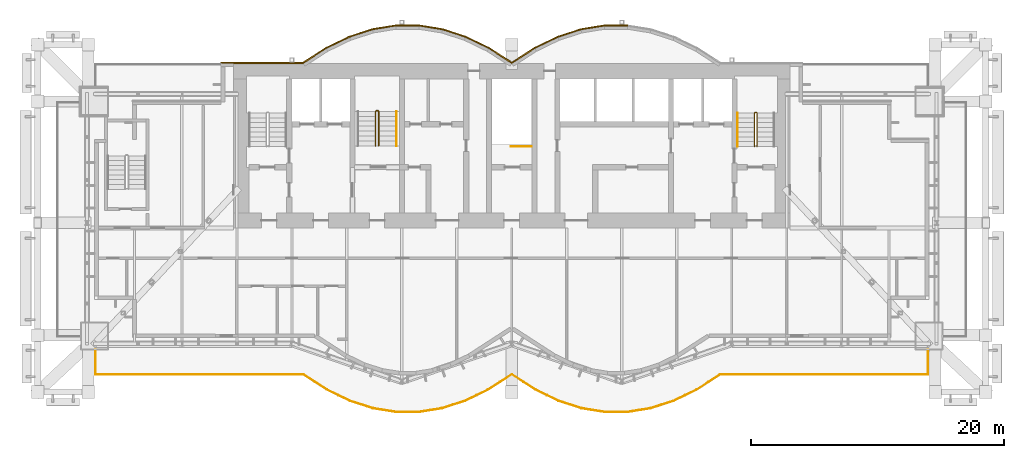
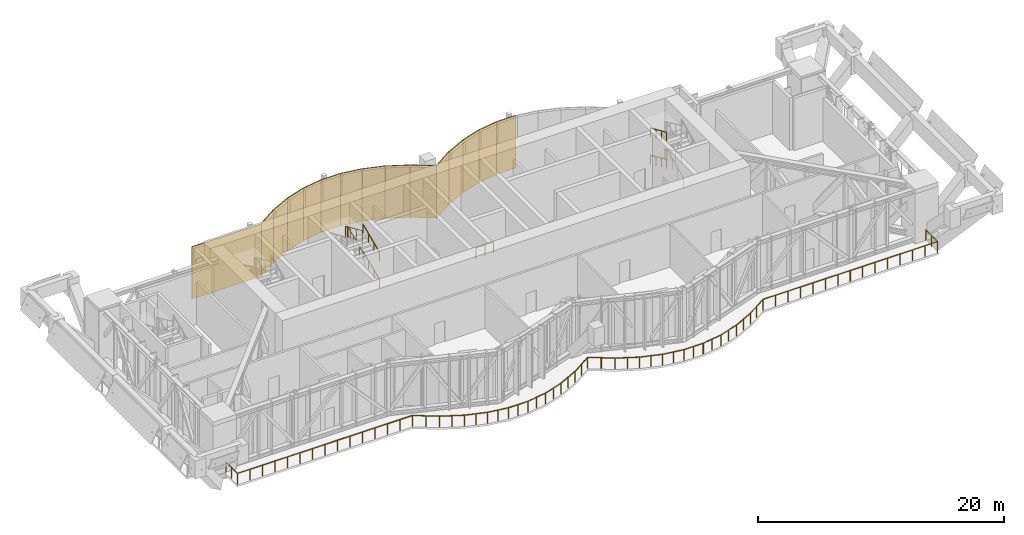
# One storey, part 19 of 20: 15 coverings, 8 railings.
"""IFC4 building model written with IfcOpenShell, lengths in metres."""

from ifc_helpers import new_model, si_unit, direction, frame, origin, origin_2d, place, context, subcontext, project, spatial, rectangle, circle, extrude, material, layer, layer_set, type_object, element, save


model = new_model("IFC4")

# Units and contexts
model_context = context("Model", 3, precision=1e-05, world=origin(), true_north=direction((0.0, 1.0)))
body_context = subcontext(model_context, "Body", "Model", "MODEL_VIEW")
ifc_project = project(units=[si_unit("LENGTHUNIT", "METRE"), si_unit("AREAUNIT", "SQUARE_METRE"), si_unit("VOLUMEUNIT", "CUBIC_METRE"), si_unit("PLANEANGLEUNIT", "RADIAN"), si_unit("MASSUNIT", "GRAM", prefix="KILO")], contexts=[model_context])

# Site, building, storey
site_placement = place(None, origin())
site = spatial("IfcSite", under=ifc_project, at=site_placement, CompositionType="ELEMENT")
building_placement = place(site_placement, origin())
building = spatial("IfcBuilding", under=site, at=building_placement, Name="Bicima Exchange Tower", CompositionType="ELEMENT")
storey_placement = place(building_placement, frame((0.0, 0.0, 342.5)))
storey = spatial("IfcBuildingStorey", under=building, at=storey_placement, Name="L77", CompositionType="ELEMENT", Elevation=342.5)

# Coverings
ifc_material_1 = material(Name="Bronze metal cladding")
ifc_layer_1 = layer(ifc_material_1, 0.004)
ifc_material_2 = material(Name="Ventilated cavity")
ifc_layer_2 = layer(ifc_material_2, 0.06)
ifc_material_3 = material(Name="Galvanised steel rail and mineral wool", Category="steel")
ifc_layer_3 = layer(ifc_material_3, 0.036)
ifc_layer_set = layer_set([ifc_layer_1, ifc_layer_2, ifc_layer_3], Name="Ventilated cavity")
covering_type = type_object("IfcCoveringType", Name="Bronze metal cladding panel 100", PredefinedType="CLADDING", material=ifc_layer_set)
covering_1_placement = place(storey_placement, frame((8.25, 3.012939453125, 0.0), z_axis=(0.0, 0.0, 1.0), x_axis=(-1.0, 0.0, 0.0)))
element("IfcCovering", 1, at=covering_1_placement, inside=storey, type_object=covering_type, Name="Bronze cladding L77 11.1", PredefinedType="CLADDING", context=body_context, shape_type="SweptSolid", body=[
    extrude(rectangle(XDim=1.83349609375, YDim=0.10009765625, at=origin_2d()), origin(), (0.0, 0.0, 1.0), 5.199951171875),
])
covering_2_placement = place(storey_placement, frame((6.40869140625, 2.8642578125, 0.0), z_axis=(0.0, 0.0, 1.0), x_axis=(-0.987189786347, -0.159550386184, 0.0)))
element("IfcCovering", 2, at=covering_2_placement, inside=storey, type_object=covering_type, Name="Bronze cladding L77 12.1", PredefinedType="CLADDING", context=body_context, shape_type="SweptSolid", body=[
    extrude(rectangle(XDim=1.857177734375, YDim=0.10009765625, at=origin_2d()), origin(), (0.0, 0.0, 1.0), 5.199951171875),
])
covering_3_placement = place(storey_placement, frame((4.568115234375, 2.41796875, 0.0), z_axis=(0.0, 0.0, 1.0), x_axis=(-0.951524642381, -0.307572519808, 0.0)))
element("IfcCovering", 3, at=covering_3_placement, inside=storey, type_object=covering_type, Name="Bronze cladding L77 13.1", PredefinedType="CLADDING", context=body_context, shape_type="SweptSolid", body=[
    extrude(rectangle(XDim=1.9267578125, YDim=0.10009765625, at=origin_2d()), origin(), (0.0, 0.0, 1.0), 5.199951171875),
])
covering_4_placement = place(storey_placement, frame((2.728271484375, 1.674560546875, 0.0), z_axis=(0.0, 0.0, 1.0), x_axis=(-0.899818346812, -0.436264762204, 0.0)))
element("IfcCovering", 4, at=covering_4_placement, inside=storey, type_object=covering_type, Name="Bronze cladding L77 14.1", PredefinedType="CLADDING", context=body_context, shape_type="SweptSolid", body=[
    extrude(rectangle(XDim=2.03759765625, YDim=0.10009765625, at=origin_2d()), origin(), (0.0, 0.0, 1.0), 5.199951171875),
])
for number, where, z_axis, x_axis, name in (
    (5, (0.889404296875, 0.634521484375, 0.0), (0.0, 0.0, 1.0), (-0.839790466384, -0.542910648791, 0.0), "Bronze cladding L77 15.1"),
    (6, (-0.889404296875, 0.634521484375, 0.0), (0.0, 0.0, 1.0), (-0.839790466384, 0.542910648791, 0.0), "Bronze cladding L77 16.1"),
):
    element("IfcCovering", number, at=place(storey_placement, frame(where, z_axis=z_axis, x_axis=x_axis)), inside=storey, type_object=covering_type, Name=name, PredefinedType="CLADDING", context=body_context, shape_type="SweptSolid", body=[
        extrude(rectangle(XDim=2.18310546875, YDim=0.10009765625, at=origin_2d()), origin(), (0.0, 0.0, 1.0), 5.199951171875),
    ])
covering_5_placement = place(storey_placement, frame((-2.728271484375, 1.674560546875, 0.0), z_axis=(0.0, 0.0, 1.0), x_axis=(-0.899818346812, 0.436264762204, 0.0)))
element("IfcCovering", 7, at=covering_5_placement, inside=storey, type_object=covering_type, Name="Bronze cladding L77 17.1", PredefinedType="CLADDING", context=body_context, shape_type="SweptSolid", body=[
    extrude(rectangle(XDim=2.03759765625, YDim=0.10009765625, at=origin_2d()), origin(), (0.0, 0.0, 1.0), 5.199951171875),
])
covering_6_placement = place(storey_placement, frame((-4.568115234375, 2.41796875, 0.0), z_axis=(0.0, 0.0, 1.0), x_axis=(-0.951524642381, 0.307572519808, 0.0)))
element("IfcCovering", 8, at=covering_6_placement, inside=storey, type_object=covering_type, Name="Bronze cladding L77 18.1", PredefinedType="CLADDING", context=body_context, shape_type="SweptSolid", body=[
    extrude(rectangle(XDim=1.9267578125, YDim=0.10009765625, at=origin_2d()), origin(), (0.0, 0.0, 1.0), 5.199951171875),
])
covering_7_placement = place(storey_placement, frame((-6.40869140625, 2.8642578125, 0.0), z_axis=(0.0, 0.0, 1.0), x_axis=(-0.987189786347, 0.159550386184, 0.0)))
element("IfcCovering", 9, at=covering_7_placement, inside=storey, type_object=covering_type, Name="Bronze cladding L77 19.1", PredefinedType="CLADDING", context=body_context, shape_type="SweptSolid", body=[
    extrude(rectangle(XDim=1.857177734375, YDim=0.10009765625, at=origin_2d()), origin(), (0.0, 0.0, 1.0), 5.199951171875),
])
covering_8_placement = place(storey_placement, frame((-8.25, 3.012939453125, 0.0), z_axis=(0.0, 0.0, 1.0), x_axis=(-1.0, 0.0, 0.0)))
element("IfcCovering", 10, at=covering_8_placement, inside=storey, type_object=covering_type, Name="Bronze cladding L77 20.1", PredefinedType="CLADDING", context=body_context, shape_type="SweptSolid", body=[
    extrude(rectangle(XDim=1.83349609375, YDim=0.10009765625, at=origin_2d()), origin(), (0.0, 0.0, 1.0), 5.199951171875),
])
covering_9_placement = place(storey_placement, frame((-10.09130859375, 2.8642578125, 0.0), z_axis=(0.0, 0.0, 1.0), x_axis=(-0.987189786347, -0.159550386184, 0.0)))
element("IfcCovering", 11, at=covering_9_placement, inside=storey, type_object=covering_type, Name="Bronze cladding L77 21.1", PredefinedType="CLADDING", context=body_context, shape_type="SweptSolid", body=[
    extrude(rectangle(XDim=1.857177734375, YDim=0.10009765625, at=origin_2d()), origin(), (0.0, 0.0, 1.0), 5.199951171875),
])
covering_10_placement = place(storey_placement, frame((-11.931884765625, 2.41796875, 0.0), z_axis=(0.0, 0.0, 1.0), x_axis=(-0.951524642381, -0.307572519808, 0.0)))
element("IfcCovering", 12, at=covering_10_placement, inside=storey, type_object=covering_type, Name="Bronze cladding L77 22.1", PredefinedType="CLADDING", context=body_context, shape_type="SweptSolid", body=[
    extrude(rectangle(XDim=1.9267578125, YDim=0.10009765625, at=origin_2d()), origin(), (0.0, 0.0, 1.0), 5.199951171875),
])
covering_11_placement = place(storey_placement, frame((-13.771728515625, 1.674560546875, 0.0), z_axis=(0.0, 0.0, 1.0), x_axis=(-0.899818346812, -0.436264762204, 0.0)))
element("IfcCovering", 13, at=covering_11_placement, inside=storey, type_object=covering_type, Name="Bronze cladding L77 23.1", PredefinedType="CLADDING", context=body_context, shape_type="SweptSolid", body=[
    extrude(rectangle(XDim=2.03759765625, YDim=0.10009765625, at=origin_2d()), origin(), (0.0, 0.0, 1.0), 5.199951171875),
])
covering_12_placement = place(storey_placement, frame((-15.610595703125, 0.634521484375, 0.0), z_axis=(0.0, 0.0, 1.0), x_axis=(-0.839790466384, -0.542910648791, 0.0)))
element("IfcCovering", 14, at=covering_12_placement, inside=storey, type_object=covering_type, Name="Bronze cladding L77 24.1", PredefinedType="CLADDING", context=body_context, shape_type="SweptSolid", body=[
    extrude(rectangle(XDim=2.18310546875, YDim=0.10009765625, at=origin_2d()), origin(), (0.0, 0.0, 1.0), 5.199951171875),
])
covering_13_placement = place(storey_placement, frame((-19.75, 0.050048828125, 0.0), z_axis=(0.0, 0.0, 1.0), x_axis=(-1.0, 0.0, 0.0)))
element("IfcCovering", 15, at=covering_13_placement, inside=storey, type_object=covering_type, Name="Bronze cladding L77 25.1", PredefinedType="CLADDING", context=body_context, shape_type="SweptSolid", body=[
    extrude(rectangle(XDim=6.5, YDim=0.10009765625, at=origin_2d()), origin(), (0.0, 0.0, 1.0), 5.199951171875),
])

# Railings
ifc_material_4 = material(Name="Stainless steel", Category="steel")
railing_type_1 = type_object("IfcRailingType", Name="Stair guard 1100", PredefinedType="GUARDRAIL", material=ifc_material_4)
railing_1_placement = place(storey_placement, frame((1.574951171875, -6.550048828125, 0.0)))
element("IfcRailing", 16, at=railing_1_placement, inside=storey, type_object=railing_type_1, Name="L77 ST-C top well guard 1", PredefinedType="GUARDRAIL", context=body_context, shape_type="SweptSolid", body=[
    extrude(circle(Radius=0.02392578125, at=origin_2d()), frame((0.0, 0.0, 1.076171875), z_axis=(-1.0, 0.0, 0.0), x_axis=(0.0, -1.0, 0.0)), (0.0, 0.0, 1.0), 1.64990234375),
    extrude(circle(Radius=0.02099609375, at=origin_2d()), origin(), (0.0, 0.0, 1.0), 1.052001953125),
    extrude(circle(Radius=0.02099609375, at=origin_2d()), frame((-0.824951171875, 0.0, 0.0)), (0.0, 0.0, 1.0), 1.052001953125),
    extrude(circle(Radius=0.02099609375, at=origin_2d()), frame((-1.64990234375, 0.0, 0.0)), (0.0, 0.0, 1.0), 1.052001953125),
])
railing_2_placement = place(storey_placement, frame((19.39990234375, -6.550048828125, 0.168701171875)))
element("IfcRailing", 17, at=railing_2_placement, inside=storey, type_object=railing_type_1, Name="L77 ST-E stair guard 1", PredefinedType="GUARDRAIL", context=body_context, shape_type="SweptSolid", body=[
    extrude(circle(Radius=0.02392578125, at=origin_2d()), frame((0.0, 0.0, 1.076171875), z_axis=(0.0, 0.912201722539, 0.409741403079), x_axis=(-1.0, 0.0, 0.0)), (0.0, 0.0, 1.0), 2.88330078125),
    extrude(circle(Radius=0.02392578125, at=origin_2d()), frame((0.0, 2.630126953125, 2.25732421875), z_axis=(-0.707106781187, 0.707106781187, 0.0), x_axis=(-0.707106781187, -0.707106781187, 0.0)), (0.0, 0.0, 1.0), 0.0703125),
    extrude(circle(Radius=0.02392578125, at=origin_2d()), frame((-0.0498046875, 2.679931640625, 2.25732421875), z_axis=(-1.0, 0.0, 0.0), x_axis=(0.0, -1.0, 0.0)), (0.0, 0.0, 1.0), 0.10009765625),
    extrude(circle(Radius=0.02392578125, at=origin_2d()), frame((-0.14990234375, 2.679931640625, 2.25732421875), z_axis=(-0.273668752699, -0.272333783174, 0.922463942026), x_axis=(0.705375805398, -0.708833529934, 0.0)), (0.0, 0.0, 1.0), 0.182861328125),
    extrude(circle(Radius=0.02392578125, at=origin_2d()), frame((-0.199951171875, 2.630126953125, 2.42626953125), z_axis=(0.0, -0.912233369549, 0.409670940488), x_axis=(1.0, 0.0, 0.0)), (0.0, 0.0, 1.0), 2.883056640625),
    extrude(circle(Radius=0.02099609375, at=origin_2d()), origin(), (0.0, 0.0, 1.0), 1.052001953125),
    extrude(circle(Radius=0.02099609375, at=origin_2d()), frame((0.0, 0.876708984375, 0.393798828125)), (0.0, 0.0, 1.0), 1.052001953125),
    extrude(circle(Radius=0.02099609375, at=origin_2d()), frame((0.0, 1.75341796875, 0.78759765625)), (0.0, 0.0, 1.0), 1.052001953125),
    extrude(circle(Radius=0.02099609375, at=origin_2d()), frame((0.0, 2.630126953125, 1.181396484375)), (0.0, 0.0, 1.0), 1.052001953125),
    extrude(circle(Radius=0.02099609375, at=origin_2d()), frame((-0.0498046875, 2.679931640625, 1.181396484375)), (0.0, 0.0, 1.0), 1.052001953125),
    extrude(circle(Radius=0.02099609375, at=origin_2d()), frame((-0.14990234375, 2.679931640625, 1.181396484375)), (0.0, 0.0, 1.0), 1.052001953125),
    extrude(circle(Radius=0.02099609375, at=origin_2d()), frame((-0.199951171875, 2.630126953125, 1.35009765625)), (0.0, 0.0, 1.0), 1.052001953125),
    extrude(circle(Radius=0.02099609375, at=origin_2d()), frame((-0.199951171875, 1.75341796875, 1.743896484375)), (0.0, 0.0, 1.0), 1.052001953125),
    extrude(circle(Radius=0.02099609375, at=origin_2d()), frame((-0.199951171875, 0.876708984375, 2.137451171875)), (0.0, 0.0, 1.0), 1.052001953125),
    extrude(circle(Radius=0.02099609375, at=origin_2d()), frame((-0.199951171875, 0.0, 2.53125)), (0.0, 0.0, 1.0), 1.052001953125),
])
railing_3_placement = place(storey_placement, frame((-10.52490234375, -6.5, 2.86865234375)))
element("IfcRailing", 18, at=railing_3_placement, inside=storey, type_object=railing_type_1, Name="L77 ST-CR stair guard 2", PredefinedType="GUARDRAIL", context=body_context, shape_type="SweptSolid", body=[
    extrude(circle(Radius=0.02392578125, at=origin_2d()), frame((0.0, 0.0, 1.076171875), z_axis=(0.0, 0.917217895875, 0.398385907741), x_axis=(-1.0, 0.0, 0.0)), (0.0, 0.0, 1.0), 2.965576171875),
    extrude(circle(Radius=0.02392578125, at=origin_2d()), frame((0.0, 2.719970703125, 2.25732421875), z_axis=(-0.707106781187, 0.707106781187, 0.0), x_axis=(-0.707106781187, -0.707106781187, 0.0)), (0.0, 0.0, 1.0), 0.07080078125),
    extrude(circle(Radius=0.02392578125, at=origin_2d()), frame((-0.050048828125, 2.77001953125, 2.25732421875), z_axis=(-1.0, 0.0, 0.0), x_axis=(0.0, -1.0, 0.0)), (0.0, 0.0, 1.0), 0.150146484375),
    extrude(circle(Radius=0.02392578125, at=origin_2d()), frame((-0.2001953125, 2.77001953125, 2.25732421875), z_axis=(-0.272333783174, -0.273668752699, 0.922463942026), x_axis=(0.708833529934, -0.705375805398, 0.0)), (0.0, 0.0, 1.0), 0.182861328125),
    extrude(circle(Radius=0.02392578125, at=origin_2d()), frame((-0.25, 2.719970703125, 2.42626953125), z_axis=(0.0, -0.917247977502, 0.398316642595), x_axis=(1.0, 0.0, 0.0)), (0.0, 0.0, 1.0), 2.96533203125),
    extrude(circle(Radius=0.02099609375, at=origin_2d()), origin(), (0.0, 0.0, 1.0), 1.052001953125),
    extrude(circle(Radius=0.02099609375, at=origin_2d()), frame((0.0, 0.90673828125, 0.393798828125)), (0.0, 0.0, 1.0), 1.052001953125),
    extrude(circle(Radius=0.02099609375, at=origin_2d()), frame((0.0, 1.813232421875, 0.78759765625)), (0.0, 0.0, 1.0), 1.052001953125),
    extrude(circle(Radius=0.02099609375, at=origin_2d()), frame((0.0, 2.719970703125, 1.181396484375)), (0.0, 0.0, 1.0), 1.052001953125),
    extrude(circle(Radius=0.02099609375, at=origin_2d()), frame((-0.050048828125, 2.77001953125, 1.181396484375)), (0.0, 0.0, 1.0), 1.052001953125),
    extrude(circle(Radius=0.02099609375, at=origin_2d()), frame((-0.2001953125, 2.77001953125, 1.181396484375)), (0.0, 0.0, 1.0), 1.052001953125),
    extrude(circle(Radius=0.02099609375, at=origin_2d()), frame((-0.25, 2.719970703125, 1.35009765625)), (0.0, 0.0, 1.0), 1.052001953125),
    extrude(circle(Radius=0.02099609375, at=origin_2d()), frame((-0.25, 1.813232421875, 1.743896484375)), (0.0, 0.0, 1.0), 1.052001953125),
    extrude(circle(Radius=0.02099609375, at=origin_2d()), frame((-0.25, 0.90673828125, 2.137451171875)), (0.0, 0.0, 1.0), 1.052001953125),
    extrude(circle(Radius=0.02099609375, at=origin_2d()), frame((-0.25, 0.0, 2.53125)), (0.0, 0.0, 1.0), 1.052001953125),
])
railing_type_2 = type_object("IfcRailingType", Name="Stair handrail 900", PredefinedType="HANDRAIL", material=ifc_material_4)
for number, where, name in (
    (19, (17.85009765625, -3.919921875, 1.518798828125), "L77 ST-E stair handrail 2"),
    (20, (17.85009765625, -3.919921875, 4.21875), "L77 ST-E stair handrail 4"),
):
    element("IfcRailing", number, at=place(storey_placement, frame(where)), inside=storey, type_object=railing_type_2, Name=name, PredefinedType="HANDRAIL", context=body_context, shape_type="SweptSolid", body=[
        extrude(circle(Radius=0.02392578125, at=origin_2d()), frame((0.0, 0.0, 0.8759765625), z_axis=(0.0, -0.912233369549, 0.409670940488), x_axis=(1.0, 0.0, 0.0)), (0.0, 0.0, 1.0), 2.883056640625),
        extrude(circle(Radius=0.02099609375, at=origin_2d()), origin(), (0.0, 0.0, 1.0), 0.851806640625),
        extrude(circle(Radius=0.02099609375, at=origin_2d()), frame((0.0, -0.876708984375, 0.393798828125)), (0.0, 0.0, 1.0), 0.851806640625),
        extrude(circle(Radius=0.02099609375, at=origin_2d()), frame((0.0, -1.75341796875, 0.787353515625)), (0.0, 0.0, 1.0), 0.851806640625),
        extrude(circle(Radius=0.02099609375, at=origin_2d()), frame((0.0, -2.630126953125, 1.18115234375)), (0.0, 0.0, 1.0), 0.851806640625),
    ])
for number, where, name in (
    (21, (-9.125, -6.5, 0.168701171875), "L77 ST-CR stair handrail 1"),
    (22, (-9.125, -6.5, 2.86865234375), "L77 ST-CR stair handrail 3"),
):
    element("IfcRailing", number, at=place(storey_placement, frame(where)), inside=storey, type_object=railing_type_2, Name=name, PredefinedType="HANDRAIL", context=body_context, shape_type="SweptSolid", body=[
        extrude(circle(Radius=0.02392578125, at=origin_2d()), frame((0.0, 0.0, 0.8759765625), z_axis=(0.0, 0.917217895875, 0.398385907741), x_axis=(-1.0, 0.0, 0.0)), (0.0, 0.0, 1.0), 2.965576171875),
        extrude(circle(Radius=0.02099609375, at=origin_2d()), origin(), (0.0, 0.0, 1.0), 0.851806640625),
        extrude(circle(Radius=0.02099609375, at=origin_2d()), frame((0.0, 0.90673828125, 0.393798828125)), (0.0, 0.0, 1.0), 0.851806640625),
        extrude(circle(Radius=0.02099609375, at=origin_2d()), frame((0.0, 1.813232421875, 0.78759765625)), (0.0, 0.0, 1.0), 0.851806640625),
        extrude(circle(Radius=0.02099609375, at=origin_2d()), frame((0.0, 2.719970703125, 1.181396484375)), (0.0, 0.0, 1.0), 0.851806640625),
    ])
ifc_material_5 = material(Name="Stainless steel and bonded safety glass", Category="steel")
railing_type_3 = type_object("IfcRailingType", Name="Terrace guard 1100", PredefinedType="GUARDRAIL", material=ifc_material_5)
railing_4_placement = place(storey_placement, frame((32.919921875, -22.654052734375, 0.0)))
element("IfcRailing", 23, at=railing_4_placement, inside=storey, type_object=railing_type_3, Name="Terrace guard L77 5", PredefinedType="GUARDRAIL", context=body_context, shape_type="SweptSolid", body=[
    extrude(circle(Radius=0.02392578125, at=origin_2d()), frame((0.0, 0.0, 1.076171875), z_axis=(0.0, -1.0, 0.0), x_axis=(1.0, 0.0, 0.0)), (0.0, 0.0, 1.0), 1.94189453125),
    extrude(circle(Radius=0.02392578125, at=origin_2d()), frame((0.0, -1.94189453125, 1.076171875), z_axis=(-1.0, 0.0, 0.0), x_axis=(0.0, -1.0, 0.0)), (0.0, 0.0, 1.0), 16.443603515625),
    extrude(circle(Radius=0.02392578125, at=origin_2d()), frame((-16.443603515625, -1.94189453125, 1.076171875), z_axis=(-0.839730768212, -0.54300298058, 0.0), x_axis=(0.54300298058, -0.839730768212, 0.0)), (0.0, 0.0, 1.0), 2.20166015625),
    extrude(circle(Radius=0.02392578125, at=origin_2d()), frame((-18.29248046875, -3.137451171875, 1.076171875), z_axis=(-0.899828434483, -0.436243955253, 0.0), x_axis=(0.436243955253, -0.899828434483, 0.0)), (0.0, 0.0, 1.0), 2.027099609375),
    extrude(circle(Radius=0.02392578125, at=origin_2d()), frame((-20.116455078125, -4.021728515625, 1.076171875), z_axis=(-0.951549885168, -0.307494416268, 0.0), x_axis=(0.307494416268, -0.951549885168, 0.0)), (0.0, 0.0, 1.0), 1.9150390625),
    extrude(circle(Radius=0.02392578125, at=origin_2d()), frame((-21.938720703125, -4.610595703125, 1.076171875), z_axis=(-0.987176602657, -0.159631936552, 0.0), x_axis=(0.159631936552, -0.987176602657, 0.0)), (0.0, 0.0, 1.0), 1.844482421875),
    extrude(circle(Radius=0.02392578125, at=origin_2d()), frame((-23.759521484375, -4.905029296875, 1.076171875), z_axis=(-1.0, 0.0, 0.0), x_axis=(0.0, -1.0, 0.0)), (0.0, 0.0, 1.0), 1.82080078125),
    extrude(circle(Radius=0.02392578125, at=origin_2d()), frame((-25.580322265625, -4.905029296875, 1.076171875), z_axis=(-0.987176602657, 0.159631936552, 0.0), x_axis=(-0.159631936552, -0.987176602657, 0.0)), (0.0, 0.0, 1.0), 1.844482421875),
    extrude(circle(Radius=0.02392578125, at=origin_2d()), frame((-27.401123046875, -4.610595703125, 1.076171875), z_axis=(-0.951549885168, 0.307494416268, 0.0), x_axis=(-0.307494416268, -0.951549885168, 0.0)), (0.0, 0.0, 1.0), 1.9150390625),
    extrude(circle(Radius=0.02392578125, at=origin_2d()), frame((-29.223388671875, -4.021728515625, 1.076171875), z_axis=(-0.899828434483, 0.436243955253, 0.0), x_axis=(-0.436243955253, -0.899828434483, 0.0)), (0.0, 0.0, 1.0), 2.027099609375),
    extrude(circle(Radius=0.02392578125, at=origin_2d()), frame((-31.04736328125, -3.137451171875, 1.076171875), z_axis=(-0.839766911995, 0.542947081693, 0.0), x_axis=(-0.542947081693, -0.839766911995, 0.0)), (0.0, 0.0, 1.0), 2.229736328125),
    extrude(circle(Radius=0.02392578125, at=origin_2d()), frame((-32.919921875, -1.9267578125, 1.076171875), z_axis=(-0.839766911995, -0.542947081693, 0.0), x_axis=(0.542947081693, -0.839766911995, 0.0)), (0.0, 0.0, 1.0), 2.229736328125),
    extrude(circle(Radius=0.02392578125, at=origin_2d()), frame((-34.79248046875, -3.137451171875, 1.076171875), z_axis=(-0.899828434483, -0.436243955253, 0.0), x_axis=(0.436243955253, -0.899828434483, 0.0)), (0.0, 0.0, 1.0), 2.027099609375),
    extrude(circle(Radius=0.02392578125, at=origin_2d()), frame((-36.616455078125, -4.021728515625, 1.076171875), z_axis=(-0.951549885168, -0.307494416268, 0.0), x_axis=(0.307494416268, -0.951549885168, 0.0)), (0.0, 0.0, 1.0), 1.9150390625),
    extrude(circle(Radius=0.02392578125, at=origin_2d()), frame((-38.438720703125, -4.610595703125, 1.076171875), z_axis=(-0.987176602657, -0.159631936552, 0.0), x_axis=(0.159631936552, -0.987176602657, 0.0)), (0.0, 0.0, 1.0), 1.844482421875),
    extrude(circle(Radius=0.02392578125, at=origin_2d()), frame((-40.259521484375, -4.905029296875, 1.076171875), z_axis=(-1.0, 0.0, 0.0), x_axis=(0.0, -1.0, 0.0)), (0.0, 0.0, 1.0), 1.82080078125),
    extrude(circle(Radius=0.02392578125, at=origin_2d()), frame((-42.080322265625, -4.905029296875, 1.076171875), z_axis=(-0.987176602657, 0.159631936552, 0.0), x_axis=(-0.159631936552, -0.987176602657, 0.0)), (0.0, 0.0, 1.0), 1.844482421875),
    extrude(circle(Radius=0.02392578125, at=origin_2d()), frame((-43.901123046875, -4.610595703125, 1.076171875), z_axis=(-0.951549885168, 0.307494416268, 0.0), x_axis=(-0.307494416268, -0.951549885168, 0.0)), (0.0, 0.0, 1.0), 1.9150390625),
    extrude(circle(Radius=0.02392578125, at=origin_2d()), frame((-45.723388671875, -4.021728515625, 1.076171875), z_axis=(-0.899828434483, 0.436243955253, 0.0), x_axis=(-0.436243955253, -0.899828434483, 0.0)), (0.0, 0.0, 1.0), 2.027099609375),
    extrude(circle(Radius=0.02392578125, at=origin_2d()), frame((-47.54736328125, -3.137451171875, 1.076171875), z_axis=(-0.839730768212, 0.54300298058, 0.0), x_axis=(-0.54300298058, -0.839730768212, 0.0)), (0.0, 0.0, 1.0), 2.20166015625),
    extrude(circle(Radius=0.02392578125, at=origin_2d()), frame((-49.396240234375, -1.94189453125, 1.076171875), z_axis=(-1.0, 0.0, 0.0), x_axis=(0.0, -1.0, 0.0)), (0.0, 0.0, 1.0), 16.443603515625),
    extrude(circle(Radius=0.02392578125, at=origin_2d()), frame((-65.83984375, -1.94189453125, 1.076171875), z_axis=(0.0, 1.0, 0.0), x_axis=(-1.0, 0.0, 0.0)), (0.0, 0.0, 1.0), 1.94189453125),
    extrude(circle(Radius=0.02099609375, at=origin_2d()), origin(), (0.0, 0.0, 1.0), 1.052001953125),
    extrude(circle(Radius=0.02099609375, at=origin_2d()), frame((0.0, -0.970947265625, 0.0)), (0.0, 0.0, 1.0), 1.052001953125),
    extrude(circle(Radius=0.02099609375, at=origin_2d()), frame((0.0, -1.94189453125, 0.0)), (0.0, 0.0, 1.0), 1.052001953125),
    extrude(circle(Radius=0.02099609375, at=origin_2d()), frame((-1.174560546875, -1.94189453125, 0.0)), (0.0, 0.0, 1.0), 1.052001953125),
    extrude(circle(Radius=0.02099609375, at=origin_2d()), frame((-2.34912109375, -1.94189453125, 0.0)), (0.0, 0.0, 1.0), 1.052001953125),
    extrude(circle(Radius=0.02099609375, at=origin_2d()), frame((-3.523681640625, -1.94189453125, 0.0)), (0.0, 0.0, 1.0), 1.052001953125),
    extrude(circle(Radius=0.02099609375, at=origin_2d()), frame((-4.6982421875, -1.94189453125, 0.0)), (0.0, 0.0, 1.0), 1.052001953125),
    extrude(circle(Radius=0.02099609375, at=origin_2d()), frame((-5.872802734375, -1.94189453125, 0.0)), (0.0, 0.0, 1.0), 1.052001953125),
    extrude(circle(Radius=0.02099609375, at=origin_2d()), frame((-7.04736328125, -1.94189453125, 0.0)), (0.0, 0.0, 1.0), 1.052001953125),
    extrude(circle(Radius=0.02099609375, at=origin_2d()), frame((-8.2216796875, -1.94189453125, 0.0)), (0.0, 0.0, 1.0), 1.052001953125),
    extrude(circle(Radius=0.02099609375, at=origin_2d()), frame((-9.396240234375, -1.94189453125, 0.0)), (0.0, 0.0, 1.0), 1.052001953125),
    extrude(circle(Radius=0.02099609375, at=origin_2d()), frame((-10.57080078125, -1.94189453125, 0.0)), (0.0, 0.0, 1.0), 1.052001953125),
    extrude(circle(Radius=0.02099609375, at=origin_2d()), frame((-11.745361328125, -1.94189453125, 0.0)), (0.0, 0.0, 1.0), 1.052001953125),
    extrude(circle(Radius=0.02099609375, at=origin_2d()), frame((-12.919921875, -1.94189453125, 0.0)), (0.0, 0.0, 1.0), 1.052001953125),
    extrude(circle(Radius=0.02099609375, at=origin_2d()), frame((-14.094482421875, -1.94189453125, 0.0)), (0.0, 0.0, 1.0), 1.052001953125),
    extrude(circle(Radius=0.02099609375, at=origin_2d()), frame((-15.26904296875, -1.94189453125, 0.0)), (0.0, 0.0, 1.0), 1.052001953125),
    extrude(circle(Radius=0.02099609375, at=origin_2d()), frame((-16.443603515625, -1.94189453125, 0.0)), (0.0, 0.0, 1.0), 1.052001953125),
    extrude(circle(Radius=0.02099609375, at=origin_2d()), frame((-17.3681640625, -2.53955078125, 0.0)), (0.0, 0.0, 1.0), 1.052001953125),
    extrude(circle(Radius=0.02099609375, at=origin_2d()), frame((-18.29248046875, -3.137451171875, 0.0)), (0.0, 0.0, 1.0), 1.052001953125),
    extrude(circle(Radius=0.02099609375, at=origin_2d()), frame((-19.20458984375, -3.57958984375, 0.0)), (0.0, 0.0, 1.0), 1.052001953125),
    extrude(circle(Radius=0.02099609375, at=origin_2d()), frame((-20.116455078125, -4.021728515625, 0.0)), (0.0, 0.0, 1.0), 1.052001953125),
    extrude(circle(Radius=0.02099609375, at=origin_2d()), frame((-21.027587890625, -4.316162109375, 0.0)), (0.0, 0.0, 1.0), 1.052001953125),
    extrude(circle(Radius=0.02099609375, at=origin_2d()), frame((-21.938720703125, -4.610595703125, 0.0)), (0.0, 0.0, 1.0), 1.052001953125),
    extrude(circle(Radius=0.02099609375, at=origin_2d()), frame((-22.84912109375, -4.7578125, 0.0)), (0.0, 0.0, 1.0), 1.052001953125),
    extrude(circle(Radius=0.02099609375, at=origin_2d()), frame((-23.759521484375, -4.905029296875, 0.0)), (0.0, 0.0, 1.0), 1.052001953125),
    extrude(circle(Radius=0.02099609375, at=origin_2d()), frame((-24.669921875, -4.905029296875, 0.0)), (0.0, 0.0, 1.0), 1.052001953125),
    extrude(circle(Radius=0.02099609375, at=origin_2d()), frame((-25.580322265625, -4.905029296875, 0.0)), (0.0, 0.0, 1.0), 1.052001953125),
    extrude(circle(Radius=0.02099609375, at=origin_2d()), frame((-26.49072265625, -4.7578125, 0.0)), (0.0, 0.0, 1.0), 1.052001953125),
    extrude(circle(Radius=0.02099609375, at=origin_2d()), frame((-27.401123046875, -4.610595703125, 0.0)), (0.0, 0.0, 1.0), 1.052001953125),
    extrude(circle(Radius=0.02099609375, at=origin_2d()), frame((-28.312255859375, -4.316162109375, 0.0)), (0.0, 0.0, 1.0), 1.052001953125),
    extrude(circle(Radius=0.02099609375, at=origin_2d()), frame((-29.223388671875, -4.021728515625, 0.0)), (0.0, 0.0, 1.0), 1.052001953125),
    extrude(circle(Radius=0.02099609375, at=origin_2d()), frame((-30.13525390625, -3.57958984375, 0.0)), (0.0, 0.0, 1.0), 1.052001953125),
    extrude(circle(Radius=0.02099609375, at=origin_2d()), frame((-31.04736328125, -3.137451171875, 0.0)), (0.0, 0.0, 1.0), 1.052001953125),
    extrude(circle(Radius=0.02099609375, at=origin_2d()), frame((-31.983642578125, -2.5322265625, 0.0)), (0.0, 0.0, 1.0), 1.052001953125),
    extrude(circle(Radius=0.02099609375, at=origin_2d()), frame((-32.919921875, -1.9267578125, 0.0)), (0.0, 0.0, 1.0), 1.052001953125),
    extrude(circle(Radius=0.02099609375, at=origin_2d()), frame((-33.856201171875, -2.5322265625, 0.0)), (0.0, 0.0, 1.0), 1.052001953125),
    extrude(circle(Radius=0.02099609375, at=origin_2d()), frame((-34.79248046875, -3.137451171875, 0.0)), (0.0, 0.0, 1.0), 1.052001953125),
    extrude(circle(Radius=0.02099609375, at=origin_2d()), frame((-35.70458984375, -3.57958984375, 0.0)), (0.0, 0.0, 1.0), 1.052001953125),
    extrude(circle(Radius=0.02099609375, at=origin_2d()), frame((-36.616455078125, -4.021728515625, 0.0)), (0.0, 0.0, 1.0), 1.052001953125),
    extrude(circle(Radius=0.02099609375, at=origin_2d()), frame((-37.527587890625, -4.316162109375, 0.0)), (0.0, 0.0, 1.0), 1.052001953125),
    extrude(circle(Radius=0.02099609375, at=origin_2d()), frame((-38.438720703125, -4.610595703125, 0.0)), (0.0, 0.0, 1.0), 1.052001953125),
    extrude(circle(Radius=0.02099609375, at=origin_2d()), frame((-39.34912109375, -4.7578125, 0.0)), (0.0, 0.0, 1.0), 1.052001953125),
    extrude(circle(Radius=0.02099609375, at=origin_2d()), frame((-40.259521484375, -4.905029296875, 0.0)), (0.0, 0.0, 1.0), 1.052001953125),
    extrude(circle(Radius=0.02099609375, at=origin_2d()), frame((-41.169921875, -4.905029296875, 0.0)), (0.0, 0.0, 1.0), 1.052001953125),
    extrude(circle(Radius=0.02099609375, at=origin_2d()), frame((-42.080322265625, -4.905029296875, 0.0)), (0.0, 0.0, 1.0), 1.052001953125),
    extrude(circle(Radius=0.02099609375, at=origin_2d()), frame((-42.99072265625, -4.7578125, 0.0)), (0.0, 0.0, 1.0), 1.052001953125),
    extrude(circle(Radius=0.02099609375, at=origin_2d()), frame((-43.901123046875, -4.610595703125, 0.0)), (0.0, 0.0, 1.0), 1.052001953125),
    extrude(circle(Radius=0.02099609375, at=origin_2d()), frame((-44.812255859375, -4.316162109375, 0.0)), (0.0, 0.0, 1.0), 1.052001953125),
    extrude(circle(Radius=0.02099609375, at=origin_2d()), frame((-45.723388671875, -4.021728515625, 0.0)), (0.0, 0.0, 1.0), 1.052001953125),
    extrude(circle(Radius=0.02099609375, at=origin_2d()), frame((-46.63525390625, -3.57958984375, 0.0)), (0.0, 0.0, 1.0), 1.052001953125),
    extrude(circle(Radius=0.02099609375, at=origin_2d()), frame((-47.54736328125, -3.137451171875, 0.0)), (0.0, 0.0, 1.0), 1.052001953125),
    extrude(circle(Radius=0.02099609375, at=origin_2d()), frame((-48.4716796875, -2.53955078125, 0.0)), (0.0, 0.0, 1.0), 1.052001953125),
    extrude(circle(Radius=0.02099609375, at=origin_2d()), frame((-49.396240234375, -1.94189453125, 0.0)), (0.0, 0.0, 1.0), 1.052001953125),
    extrude(circle(Radius=0.02099609375, at=origin_2d()), frame((-50.57080078125, -1.94189453125, 0.0)), (0.0, 0.0, 1.0), 1.052001953125),
    extrude(circle(Radius=0.02099609375, at=origin_2d()), frame((-51.745361328125, -1.94189453125, 0.0)), (0.0, 0.0, 1.0), 1.052001953125),
    extrude(circle(Radius=0.02099609375, at=origin_2d()), frame((-52.919921875, -1.94189453125, 0.0)), (0.0, 0.0, 1.0), 1.052001953125),
    extrude(circle(Radius=0.02099609375, at=origin_2d()), frame((-54.094482421875, -1.94189453125, 0.0)), (0.0, 0.0, 1.0), 1.052001953125),
    extrude(circle(Radius=0.02099609375, at=origin_2d()), frame((-55.26904296875, -1.94189453125, 0.0)), (0.0, 0.0, 1.0), 1.052001953125),
    extrude(circle(Radius=0.02099609375, at=origin_2d()), frame((-56.443603515625, -1.94189453125, 0.0)), (0.0, 0.0, 1.0), 1.052001953125),
    extrude(circle(Radius=0.02099609375, at=origin_2d()), frame((-57.6181640625, -1.94189453125, 0.0)), (0.0, 0.0, 1.0), 1.052001953125),
    extrude(circle(Radius=0.02099609375, at=origin_2d()), frame((-58.79248046875, -1.94189453125, 0.0)), (0.0, 0.0, 1.0), 1.052001953125),
    extrude(circle(Radius=0.02099609375, at=origin_2d()), frame((-59.967041015625, -1.94189453125, 0.0)), (0.0, 0.0, 1.0), 1.052001953125),
    extrude(circle(Radius=0.02099609375, at=origin_2d()), frame((-61.1416015625, -1.94189453125, 0.0)), (0.0, 0.0, 1.0), 1.052001953125),
    extrude(circle(Radius=0.02099609375, at=origin_2d()), frame((-62.316162109375, -1.94189453125, 0.0)), (0.0, 0.0, 1.0), 1.052001953125),
    extrude(circle(Radius=0.02099609375, at=origin_2d()), frame((-63.49072265625, -1.94189453125, 0.0)), (0.0, 0.0, 1.0), 1.052001953125),
    extrude(circle(Radius=0.02099609375, at=origin_2d()), frame((-64.665283203125, -1.94189453125, 0.0)), (0.0, 0.0, 1.0), 1.052001953125),
    extrude(circle(Radius=0.02099609375, at=origin_2d()), frame((-65.83984375, -1.94189453125, 0.0)), (0.0, 0.0, 1.0), 1.052001953125),
    extrude(circle(Radius=0.02099609375, at=origin_2d()), frame((-65.83984375, -0.970947265625, 0.0)), (0.0, 0.0, 1.0), 1.052001953125),
    extrude(circle(Radius=0.02099609375, at=origin_2d()), frame((-65.83984375, 0.0, 0.0)), (0.0, 0.0, 1.0), 1.052001953125),
])

save(model, "model.ifc")
